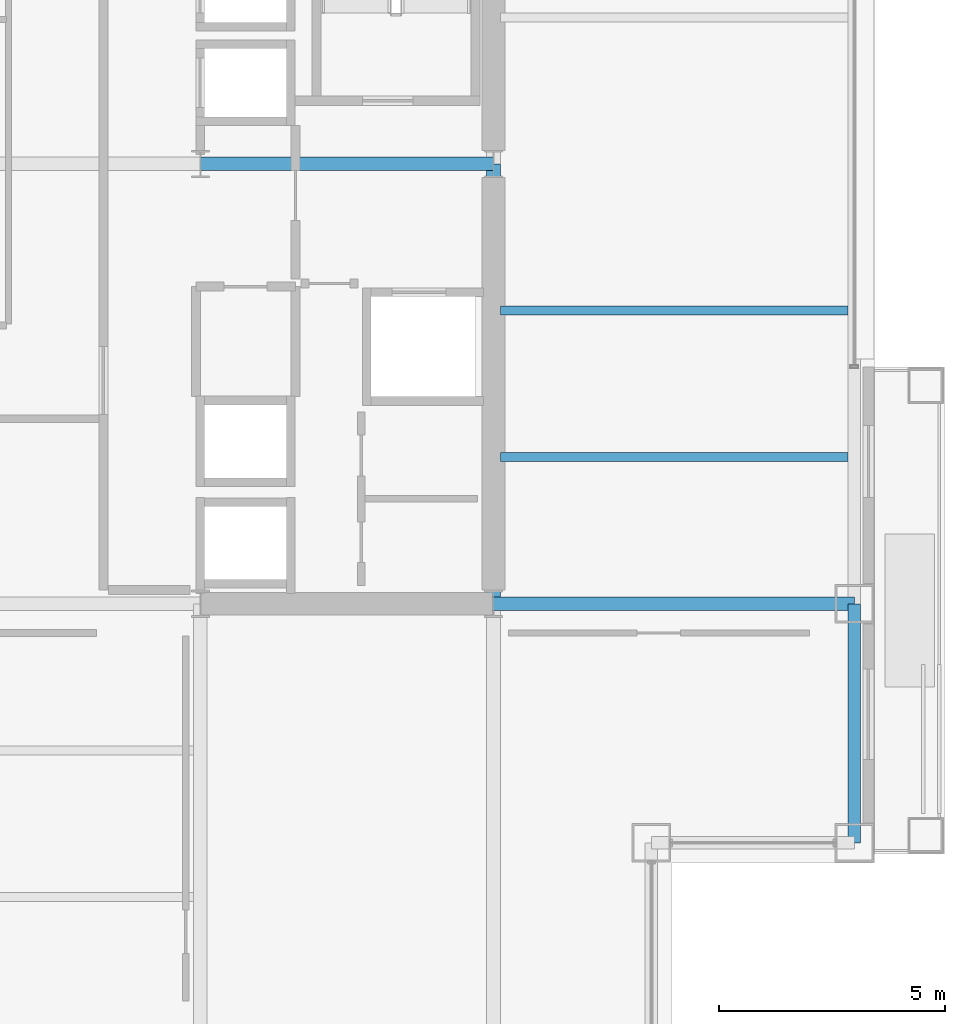
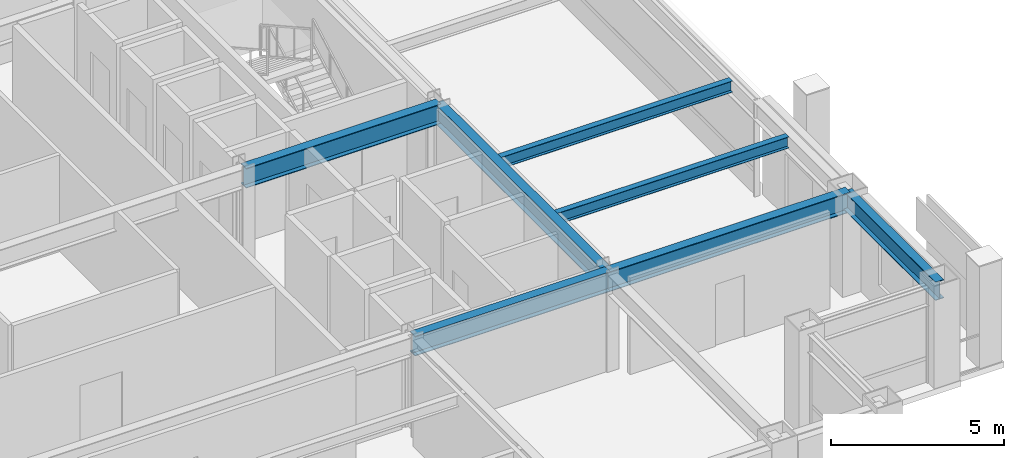
# One storey, part 15 of 34: 7 beams.
"""IFC4 building model written with IfcOpenShell, lengths in metres."""

from ifc_helpers import new_model, si_unit, direction, frame, origin, origin_2d, place, context, subcontext, project, spatial, i_section, extrude, material, material_profile, profile_set, type_object, element, save


model = new_model("IFC4")

# Units and contexts
model_context = context("Model", 3, precision=1e-05, world=origin(), true_north=direction((0.0, 1.0)))
body_context = subcontext(model_context, "Body", "Model", "MODEL_VIEW")
ifc_project = project(units=[si_unit("LENGTHUNIT", "METRE"), si_unit("AREAUNIT", "SQUARE_METRE"), si_unit("VOLUMEUNIT", "CUBIC_METRE"), si_unit("PLANEANGLEUNIT", "RADIAN"), si_unit("MASSUNIT", "GRAM", prefix="KILO")], contexts=[model_context])

# Site, building, storey
site_placement = place(None, origin())
site = spatial("IfcSite", under=ifc_project, at=site_placement, CompositionType="ELEMENT")
building_placement = place(site_placement, origin())
building = spatial("IfcBuilding", under=site, at=building_placement, Name="Brelmoor Portico Tower", CompositionType="ELEMENT")
storey_placement = place(building_placement, frame((0.0, 0.0, 99.0)))
storey = spatial("IfcBuildingStorey", under=building, at=storey_placement, Name="L25", CompositionType="ELEMENT", Elevation=99.0)

# Beams
ifc_material = material(Name="Steel Q355B", Category="steel")
ifc_material_profile_1 = material_profile(ifc_material, i_section(OverallWidth=0.199951171875, OverallDepth=0.39990234375, WebThickness=0.008056640625, FlangeThickness=0.012939453125, at=origin_2d()), Name="HN 400x200x8x13")
ifc_profile_set_1 = profile_set([ifc_material_profile_1], Name="Steel Q355B")
beam_type_1 = type_object("IfcBeamType", Name="BM-JS-400", PredefinedType="JOIST", material=ifc_profile_set_1)
for number, where, z_axis, x_axis, name in (
    (1, (14.699951171875, -6.5, 3.199951171875), (1.0, 0.0, 0.0), (0.0, 1.0, 0.0), "L25 Secondary Wing Joist JS-E09"),
    (2, (14.699951171875, -3.25, 3.199951171875), (1.0, 0.0, 0.0), (0.0, 1.0, 0.0), "L25 Secondary Wing Joist JS-E10"),
):
    element("IfcBeam", number, at=place(storey_placement, frame(where, z_axis=z_axis, x_axis=x_axis)), inside=storey, type_object=beam_type_1, Name=name, PredefinedType="JOIST", context=body_context, shape_type="SweptSolid", body=[
        extrude(i_section(OverallWidth=0.199951171875, OverallDepth=0.39990234375, WebThickness=0.008056640625, FlangeThickness=0.012939453125, at=origin_2d()), origin(), (0.0, 0.0, 1.0), 7.7099609375),
    ])
ifc_material_profile_2 = material_profile(ifc_material, i_section(OverallWidth=0.300048828125, OverallDepth=0.699951171875, WebThickness=0.012939453125, FlangeThickness=0.02392578125, at=origin_2d()), Name="HN 700x300x13x24")
ifc_profile_set_2 = profile_set([ifc_material_profile_2], Name="Steel Q355B")
beam_type_2 = type_object("IfcBeamType", Name="BM-PG-700", PredefinedType="BEAM", material=ifc_profile_set_2)
beam_1_placement = place(storey_placement, frame((14.550048828125, -9.75, 3.050048828125), z_axis=(0.0, 1.0, 0.0), x_axis=(-1.0, 0.0, 0.0)))
element("IfcBeam", 3, at=beam_1_placement, inside=storey, type_object=beam_type_2, Name="L25 Primary Floor Girder PG-11", PredefinedType="BEAM", context=body_context, shape_type="SweptSolid", body=[
    extrude(i_section(OverallWidth=0.300048828125, OverallDepth=0.699951171875, WebThickness=0.012939453125, FlangeThickness=0.02392578125, at=origin_2d()), origin(), (0.0, 0.0, 1.0), 9.75),
])
beam_2_placement = place(storey_placement, frame((8.050048828125, -9.75, 3.050048828125), z_axis=(1.0, 0.0, 0.0), x_axis=(0.0, 1.0, 0.0)))
element("IfcBeam", 4, at=beam_2_placement, inside=storey, type_object=beam_type_2, Name="L25 Primary Floor Girder PG-17", PredefinedType="BEAM", context=body_context, shape_type="SweptSolid", body=[
    extrude(i_section(OverallWidth=0.300048828125, OverallDepth=0.699951171875, WebThickness=0.012939453125, FlangeThickness=0.02392578125, at=origin_2d()), origin(), (0.0, 0.0, 1.0), 6.5),
])
beam_3_placement = place(storey_placement, frame((14.550048828125, -9.75, 3.050048828125), z_axis=(1.0, 0.0, 0.0), x_axis=(0.0, 1.0, 0.0)))
element("IfcBeam", 5, at=beam_3_placement, inside=storey, type_object=beam_type_2, Name="L25 Primary Floor Girder PG-18", PredefinedType="BEAM", context=body_context, shape_type="SweptSolid", body=[
    extrude(i_section(OverallWidth=0.300048828125, OverallDepth=0.699951171875, WebThickness=0.012939453125, FlangeThickness=0.02392578125, at=origin_2d()), origin(), (0.0, 0.0, 1.0), 8.0),
])
beam_4_placement = place(storey_placement, frame((8.050048828125, 0.0, 3.050048828125), z_axis=(1.0, 0.0, 0.0), x_axis=(0.0, 1.0, 0.0)))
element("IfcBeam", 6, at=beam_4_placement, inside=storey, type_object=beam_type_2, Name="L25 Primary Floor Girder PG-21", PredefinedType="BEAM", context=body_context, shape_type="SweptSolid", body=[
    extrude(i_section(OverallWidth=0.300048828125, OverallDepth=0.699951171875, WebThickness=0.012939453125, FlangeThickness=0.02392578125, at=origin_2d()), origin(), (0.0, 0.0, 1.0), 6.5),
])
ifc_material_profile_3 = material_profile(ifc_material, i_section(OverallWidth=0.280029296875, OverallDepth=0.64990234375, WebThickness=0.012939453125, FlangeThickness=0.02197265625, at=origin_2d()), Name="HN 650x280x13x22")
ifc_profile_set_3 = profile_set([ifc_material_profile_3], Name="Steel Q355B")
beam_type_3 = type_object("IfcBeamType", Name="BM-SP-650", PredefinedType="SPANDREL", material=ifc_profile_set_3)
beam_5_placement = place(storey_placement, frame((22.550048828125, -15.050048828125, 3.074951171875), z_axis=(0.0, 1.0, 0.0), x_axis=(-1.0, 0.0, 0.0)))
element("IfcBeam", 7, at=beam_5_placement, inside=storey, type_object=beam_type_3, Name="L25 Perimeter Spandrel Beam SP-22", PredefinedType="SPANDREL", context=body_context, shape_type="SweptSolid", body=[
    extrude(i_section(OverallWidth=0.280029296875, OverallDepth=0.64990234375, WebThickness=0.012939453125, FlangeThickness=0.02197265625, at=origin_2d()), origin(), (0.0, 0.0, 1.0), 5.300048828125),
])

save(model, "model.ifc")
